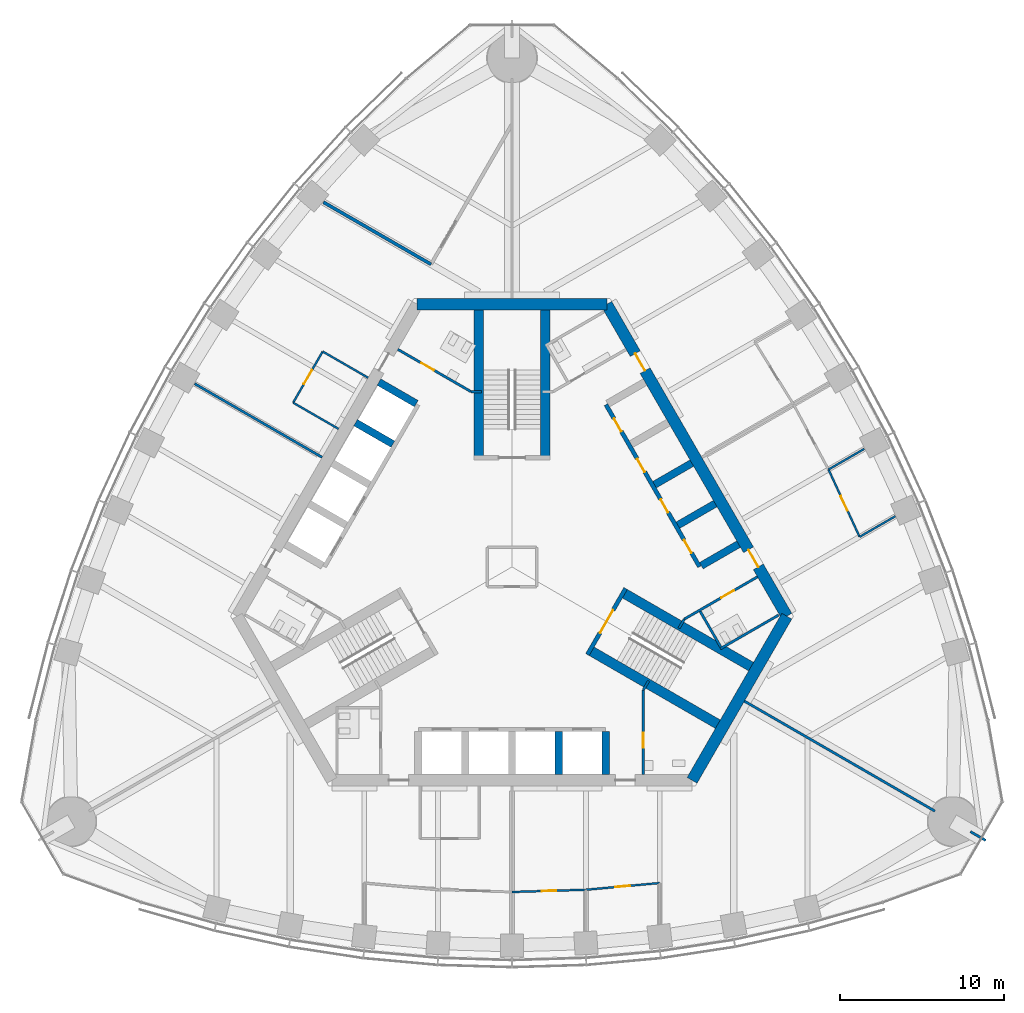
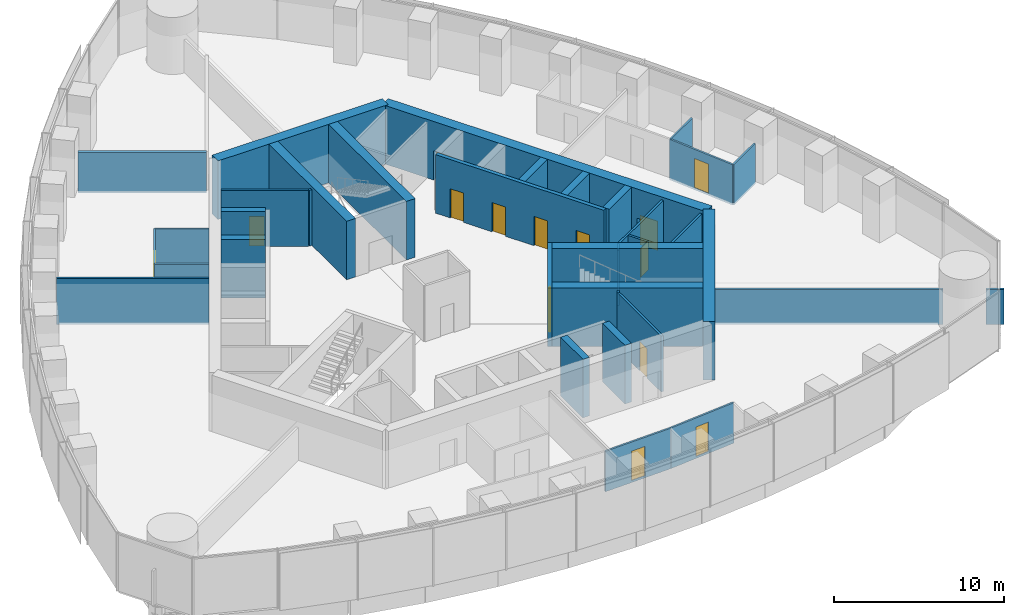
# One storey, part 9 of 15: 36 walls, 14 doors, 14 openings.
"""IFC4 building model written with IfcOpenShell, lengths in metres."""

from ifc_helpers import new_model, si_unit, direction, frame, frame_2d, origin, place, context, subcontext, project, spatial, rectangle, extrude, material, layer, layer_set, type_object, element, fill, save


model = new_model("IFC4")

# Units and contexts
model_context = context("Model", 3, precision=1e-05, world=origin(), true_north=direction((0.0, 1.0)))
body_context = subcontext(model_context, "Body", "Model", "MODEL_VIEW")
ifc_project = project(units=[si_unit("LENGTHUNIT", "METRE"), si_unit("AREAUNIT", "SQUARE_METRE"), si_unit("VOLUMEUNIT", "CUBIC_METRE"), si_unit("PLANEANGLEUNIT", "RADIAN"), si_unit("MASSUNIT", "GRAM", prefix="KILO")], contexts=[model_context])

# Site, building, storey
site_placement = place(None, origin())
site = spatial("IfcSite", under=ifc_project, at=site_placement, CompositionType="ELEMENT")
building_placement = place(site_placement, origin())
building = spatial("IfcBuilding", under=site, at=building_placement, Name="Trefoil Bronze Tower", CompositionType="ELEMENT")
storey_placement = place(building_placement, frame((0.0, 0.0, 288.89990234375)))
storey = spatial("IfcBuildingStorey", under=building, at=storey_placement, Name="L66", CompositionType="ELEMENT", Elevation=288.89990234375)

# Walls
ifc_material_1 = material(Name="Gypsum board on steel studs", Category="steel")
ifc_layer_1 = layer(ifc_material_1, 0.199951171875)
ifc_layer_set_1 = layer_set([ifc_layer_1], Name="Acoustic partition 200")
wall_type_1 = type_object("IfcWallType", Name="Acoustic partition 200", PredefinedType="PARTITIONING", material=ifc_layer_set_1)
wall_1_placement = place(storey_placement, frame((-4.9326171875, 18.436279296875, 0.0), z_axis=(0.0, 0.0, 1.0), x_axis=(-0.866021793822, 0.500006252586, 0.0)))
element("IfcWall", 1, at=wall_1_placement, inside=storey, type_object=wall_type_1, Name="Partition F3 L66", PredefinedType="PARTITIONING", context=body_context, shape_type="SweptSolid", body=[
    extrude(rectangle(XDim=7.57080078125, YDim=0.199951171875, at=frame_2d((3.785400390625, 0.0))), origin(), (0.0, 0.0, 1.0), 2.900146484375),
])
ifc_material_2 = material(Name="Concrete B80", Category="concrete")
ifc_layer_2 = layer(ifc_material_2, 0.699951171875)
ifc_layer_set_2 = layer_set([ifc_layer_2], Name="Core wall 700")
wall_type_2 = type_object("IfcWallType", Name="Core wall 700", PredefinedType="SHEAR", material=ifc_layer_set_2)
wall_2_placement = place(storey_placement, frame((10.9697265625, -13.0, 0.0), z_axis=(0.0, 0.0, 1.0), x_axis=(0.499995765644, 0.866027848477, 0.0)))
element("IfcWall", 2, at=wall_2_placement, inside=storey, type_object=wall_type_2, Name="Core short wall 1 L66", PredefinedType="SHEAR", context=body_context, shape_type="SweptSolid", body=[
    extrude(rectangle(XDim=11.546875, YDim=0.699951171875, at=frame_2d((5.7734375, 0.0))), origin(), (0.0, 0.0, 1.0), 4.2001953125),
])

# Wall, openings, doors
wall_3_placement = place(storey_placement, frame((16.7431640625, -3.0, 0.0), z_axis=(0.0, 0.0, 1.0), x_axis=(-0.500002442456, 0.866023993627, 0.0)))
wall_3 = element("IfcWall", 3, at=wall_3_placement, inside=storey, type_object=wall_type_2, Name="Core long wall 2 L66", PredefinedType="SHEAR", context=body_context, shape_type="SweptSolid", body=[
    extrude(rectangle(XDim=21.939453125, YDim=0.699951171875, at=frame_2d((10.9697265625, 0.0))), origin(), (0.0, 0.0, 1.0), 4.2001953125),
])
opening_1_placement = place(wall_3_placement, frame((17.269775390625, 0.0, 0.0)))
opening_1 = element("IfcOpeningElement", 4, at=opening_1_placement, cuts=wall_3, Name="Opening D2", PredefinedType="OPENING", context=body_context, shape_type="SweptSolid", body=[
    extrude(rectangle(XDim=1.199951171875, YDim=2.10009765625, at=frame_2d((0.60009765625, 1.050048828125))), frame((0.0, 0.35986328125, 0.0), z_axis=(0.0, -1.0, 0.0), x_axis=(1.0, 0.0, 0.0)), (0.0, 0.0, 1.0), 0.719970703125),
])
opening_2_placement = place(wall_3_placement, frame((3.4697265625, 0.0, 0.0)))
opening_2 = element("IfcOpeningElement", 5, at=opening_2_placement, cuts=wall_3, Name="Opening D2", PredefinedType="OPENING", context=body_context, shape_type="SweptSolid", body=[
    extrude(rectangle(XDim=1.199951171875, YDim=2.10009765625, at=frame_2d((0.60009765625, 1.050048828125))), frame((0.0, 0.35986328125, 0.0), z_axis=(0.0, -1.0, 0.0), x_axis=(1.0, 0.0, 0.0)), (0.0, 0.0, 1.0), 0.719970703125),
])
ifc_material_3 = material(Name="Steel door", Category="steel")
door_type_1 = type_object("IfcDoorType", Name="Lobby door 1200", OperationType="SINGLE_SWING_RIGHT", PredefinedType="DOOR", material=ifc_material_3)
door_1_placement = place(opening_1_placement, origin())
door_1 = element("IfcDoor", 6, at=door_1_placement, inside=storey, type_object=door_type_1, Name="Lobby door F2+ L66", OperationType="SINGLE_SWING_RIGHT", OverallHeight=2.10009765625, OverallWidth=1.199951171875, PredefinedType="DOOR", context=body_context, shape_type="SweptSolid", body=[
    extrude(rectangle(XDim=1.199951171875, YDim=2.10009765625, at=frame_2d((0.60009765625, 1.050048828125))), frame((0.0, 0.02490234375, 0.0), z_axis=(0.0, -1.0, 0.0), x_axis=(1.0, 0.0, 0.0)), (0.0, 0.0, 1.0), 0.050048828125),
])
fill(opening_1, door_1)
door_2_placement = place(opening_2_placement, origin())
door_2 = element("IfcDoor", 7, at=door_2_placement, inside=storey, type_object=door_type_1, Name="Lobby door F2- L66", OperationType="SINGLE_SWING_LEFT", OverallHeight=2.10009765625, OverallWidth=1.199951171875, PredefinedType="DOOR", context=body_context, shape_type="SweptSolid", body=[
    extrude(rectangle(XDim=1.199951171875, YDim=2.10009765625, at=frame_2d((0.60009765625, 1.050048828125))), frame((0.0, 0.02490234375, 0.0), z_axis=(0.0, -1.0, 0.0), x_axis=(1.0, 0.0, 0.0)), (0.0, 0.0, 1.0), 0.050048828125),
])
fill(opening_2, door_2)

# Wall
wall_4_placement = place(storey_placement, frame((5.7734375, 16.0, 0.0), z_axis=(0.0, 0.0, 1.0), x_axis=(-1.0, 0.0, 0.0)))
element("IfcWall", 8, at=wall_4_placement, inside=storey, type_object=wall_type_2, Name="Core short wall 2 L66", PredefinedType="SHEAR", context=body_context, shape_type="SweptSolid", body=[
    extrude(rectangle(XDim=11.546875, YDim=0.699951171875, at=frame_2d((5.7734375, 0.0))), origin(), (0.0, 0.0, 1.0), 4.2001953125),
])

# Wall, opening, door
ifc_material_4 = material(Name="Glazed partition", Category="glass")
ifc_layer_3 = layer(ifc_material_4, 0.1201171875)
ifc_layer_set_3 = layer_set([ifc_layer_3], Name="Glazed partition 120")
wall_type_3 = type_object("IfcWallType", Name="Glazed partition 120", PredefinedType="PARTITIONING", material=ifc_layer_set_3)
wall_5_placement = place(storey_placement, frame((0.0, -19.801513671875, 0.0), z_axis=(0.0, 0.0, 1.0), x_axis=(0.999542074227, 0.030259574513, 0.0)))
wall_5 = element("IfcWall", 9, at=wall_5_placement, inside=storey, type_object=wall_type_3, Name="Partition F1 L66", PredefinedType="PARTITIONING", context=body_context, shape_type="SweptSolid", body=[
    extrude(rectangle(XDim=4.501953125, YDim=0.1201171875, at=frame_2d((2.2509765625, 0.0))), origin(), (0.0, 0.0, 1.0), 2.900146484375),
])
opening_3_placement = place(wall_5_placement, frame((1.800048828125, 0.0, 0.14990234375)))
opening_3 = element("IfcOpeningElement", 10, at=opening_3_placement, cuts=wall_5, Name="Opening D8", PredefinedType="OPENING", context=body_context, shape_type="SweptSolid", body=[
    extrude(rectangle(XDim=0.89990234375, YDim=2.10009765625, at=frame_2d((0.449951171875, 1.050048828125))), frame((0.0, 0.070068359375, 0.0), z_axis=(0.0, -1.0, 0.0), x_axis=(1.0, 0.0, 0.0)), (0.0, 0.0, 1.0), 0.14013671875),
])
ifc_material_5 = material(Name="Timber door", Category="wood")
door_type_2 = type_object("IfcDoorType", Name="Office door 900", OperationType="SINGLE_SWING_LEFT", PredefinedType="DOOR", material=ifc_material_5)
door_3_placement = place(opening_3_placement, frame((0.89990234375, 0.0, 0.0), z_axis=(0.0, 0.0, 1.0), x_axis=(-1.0, 0.0, 0.0)))
door_3 = element("IfcDoor", 11, at=door_3_placement, inside=storey, type_object=door_type_2, Name="Office door F1 L66", OperationType="SINGLE_SWING_RIGHT", OverallHeight=2.10009765625, OverallWidth=0.89990234375, PredefinedType="DOOR", context=body_context, shape_type="SweptSolid", body=[
    extrude(rectangle(XDim=0.89990234375, YDim=2.10009765625, at=frame_2d((0.449951171875, 1.050048828125))), frame((0.0, 0.02490234375, 0.0), z_axis=(0.0, -1.0, 0.0), x_axis=(1.0, 0.0, 0.0)), (0.0, 0.0, 1.0), 0.050048828125),
])
fill(opening_3, door_3)

wall_6_placement = place(storey_placement, frame((4.5, -19.665283203125, 0.0), z_axis=(0.0, 0.0, 1.0), x_axis=(0.995871921504, 0.090769576179, 0.0)))
wall_6 = element("IfcWall", 12, at=wall_6_placement, inside=storey, type_object=wall_type_3, Name="Partition F1 L66", PredefinedType="PARTITIONING", context=body_context, shape_type="SweptSolid", body=[
    extrude(rectangle(XDim=4.5185546875, YDim=0.1201171875, at=frame_2d((2.25927734375, 0.0))), origin(), (0.0, 0.0, 1.0), 2.900146484375),
])
opening_4_placement = place(wall_6_placement, frame((1.800048828125, 0.0, 0.14990234375)))
opening_4 = element("IfcOpeningElement", 13, at=opening_4_placement, cuts=wall_6, Name="Opening D8", PredefinedType="OPENING", context=body_context, shape_type="SweptSolid", body=[
    extrude(rectangle(XDim=0.89990234375, YDim=2.10009765625, at=frame_2d((0.449951171875, 1.050048828125))), frame((0.0, 0.070068359375, 0.0), z_axis=(0.0, -1.0, 0.0), x_axis=(1.0, 0.0, 0.0)), (0.0, 0.0, 1.0), 0.14013671875),
])
door_4_placement = place(opening_4_placement, frame((0.89990234375, 0.0, 0.0), z_axis=(0.0, 0.0, 1.0), x_axis=(-1.0, 0.0, 0.0)))
door_4 = element("IfcDoor", 14, at=door_4_placement, inside=storey, type_object=door_type_2, Name="Office door F1 L66", OperationType="SINGLE_SWING_RIGHT", OverallHeight=2.10009765625, OverallWidth=0.89990234375, PredefinedType="DOOR", context=body_context, shape_type="SweptSolid", body=[
    extrude(rectangle(XDim=0.89990234375, YDim=2.10009765625, at=frame_2d((0.449951171875, 1.050048828125))), frame((0.0, 0.02490234375, 0.0), z_axis=(0.0, -1.0, 0.0), x_axis=(1.0, 0.0, 0.0)), (0.0, 0.0, 1.0), 0.050048828125),
])
fill(opening_4, door_4)

wall_7_placement = place(storey_placement, frame((21.17529296875, 1.833251953125, 0.0), z_axis=(0.0, 0.0, 1.0), x_axis=(-0.419270595022, 0.907861315483, 0.0)))
wall_7 = element("IfcWall", 15, at=wall_7_placement, inside=storey, type_object=wall_type_3, Name="Partition F2 L66", PredefinedType="PARTITIONING", context=body_context, shape_type="SweptSolid", body=[
    extrude(rectangle(XDim=4.5185546875, YDim=0.1201171875, at=frame_2d((2.25927734375, 0.0))), origin(), (0.0, 0.0, 1.0), 2.900146484375),
])
opening_5_placement = place(wall_7_placement, frame((1.75, 0.0, 0.14990234375)))
opening_5 = element("IfcOpeningElement", 16, at=opening_5_placement, cuts=wall_7, Name="Opening D9", PredefinedType="OPENING", context=body_context, shape_type="SweptSolid", body=[
    extrude(rectangle(XDim=1.0, YDim=2.10009765625, at=frame_2d((0.5, 1.050048828125))), frame((0.0, 0.070068359375, 0.0), z_axis=(0.0, -1.0, 0.0), x_axis=(1.0, 0.0, 0.0)), (0.0, 0.0, 1.0), 0.14013671875),
])
ifc_material_6 = material(Name="Glazed timber door", Category="wood")
door_type_3 = type_object("IfcDoorType", Name="Meeting room door 1000", OperationType="SINGLE_SWING_LEFT", PredefinedType="DOOR", material=ifc_material_6)
door_5_placement = place(opening_5_placement, frame((1.0, 0.0, 0.0), z_axis=(0.0, 0.0, 1.0), x_axis=(-1.0, 0.0, 0.0)))
door_5 = element("IfcDoor", 17, at=door_5_placement, inside=storey, type_object=door_type_3, Name="Meeting room door F2 L66", OperationType="SINGLE_SWING_RIGHT", OverallHeight=2.10009765625, OverallWidth=1.0, PredefinedType="DOOR", context=body_context, shape_type="SweptSolid", body=[
    extrude(rectangle(XDim=1.0, YDim=2.10009765625, at=frame_2d((0.5, 1.050048828125))), frame((0.0, 0.02490234375, 0.0), z_axis=(0.0, -1.0, 0.0), x_axis=(1.0, 0.0, 0.0)), (0.0, 0.0, 1.0), 0.050048828125),
])
fill(opening_5, door_5)

# Walls
wall_8_placement = place(storey_placement, frame((19.28076171875, 5.935546875, 0.0), z_axis=(0.0, 0.0, 1.0), x_axis=(0.866032146685, 0.499988320771, 0.0)))
element("IfcWall", 18, at=wall_8_placement, inside=storey, type_object=wall_type_3, Name="Partition F2 L66", PredefinedType="PARTITIONING", context=body_context, shape_type="SweptSolid", body=[
    extrude(rectangle(XDim=2.51708984375, YDim=0.1201171875, at=frame_2d((1.258544921875, 0.0))), origin(), (0.0, 0.0, 1.0), 2.900146484375),
])
wall_9_placement = place(storey_placement, frame((21.17529296875, 1.833251953125, 0.0), z_axis=(0.0, 0.0, 1.0), x_axis=(0.866042990507, 0.499969537666, 0.0)))
element("IfcWall", 19, at=wall_9_placement, inside=storey, type_object=wall_type_3, Name="Partition F2 L66", PredefinedType="PARTITIONING", context=body_context, shape_type="SweptSolid", body=[
    extrude(rectangle(XDim=2.509033203125, YDim=0.1201171875, at=frame_2d((1.25439453125, 0.0))), origin(), (0.0, 0.0, 1.0), 2.900146484375),
])

# Wall, opening, door
wall_10_placement = place(storey_placement, frame((-11.53271484375, 13.124755859375, 0.0), z_axis=(0.0, 0.0, 1.0), x_axis=(-0.500012057535, -0.866018442252, 0.0)))
wall_10 = element("IfcWall", 20, at=wall_10_placement, inside=storey, type_object=wall_type_3, Name="Partition F3 L66", PredefinedType="PARTITIONING", context=body_context, shape_type="SweptSolid", body=[
    extrude(rectangle(XDim=3.60009765625, YDim=0.1201171875, at=frame_2d((1.800048828125, 0.0))), origin(), (0.0, 0.0, 1.0), 2.900146484375),
])
opening_6_placement = place(wall_10_placement, frame((1.300048828125, 0.0, 0.14990234375)))
opening_6 = element("IfcOpeningElement", 21, at=opening_6_placement, cuts=wall_10, Name="Opening D9", PredefinedType="OPENING", context=body_context, shape_type="SweptSolid", body=[
    extrude(rectangle(XDim=1.0, YDim=2.10009765625, at=frame_2d((0.5, 1.050048828125))), frame((0.0, 0.070068359375, 0.0), z_axis=(0.0, -1.0, 0.0), x_axis=(1.0, 0.0, 0.0)), (0.0, 0.0, 1.0), 0.14013671875),
])
door_6_placement = place(opening_6_placement, origin())
door_6 = element("IfcDoor", 22, at=door_6_placement, inside=storey, type_object=door_type_3, Name="Meeting room door F3 L66", OperationType="SINGLE_SWING_RIGHT", OverallHeight=2.10009765625, OverallWidth=1.0, PredefinedType="DOOR", context=body_context, shape_type="SweptSolid", body=[
    extrude(rectangle(XDim=1.0, YDim=2.10009765625, at=frame_2d((0.5, 1.050048828125))), frame((0.0, 0.02490234375, 0.0), z_axis=(0.0, -1.0, 0.0), x_axis=(1.0, 0.0, 0.0)), (0.0, 0.0, 1.0), 0.050048828125),
])
fill(opening_6, door_6)

# Walls
for number, where, z_axis, x_axis, name in (
    (23, (-10.5615234375, 8.406982421875, 0.0), (0.0, 0.0, 1.0), (-0.866008981251, 0.500028443584, 0.0), "Partition F3 L66"),
    (24, (-8.761474609375, 11.524658203125, 0.0), (0.0, 0.0, 1.0), (-0.866008981251, 0.500028443584, 0.0), "Partition F3 L66"),
):
    element("IfcWall", number, at=place(storey_placement, frame(where, z_axis=z_axis, x_axis=x_axis)), inside=storey, type_object=wall_type_3, Name=name, PredefinedType="PARTITIONING", context=body_context, shape_type="SweptSolid", body=[
        extrude(rectangle(XDim=3.199951171875, YDim=0.1201171875, at=frame_2d((1.60009765625, 0.0))), origin(), (0.0, 0.0, 1.0), 2.900146484375),
    ])
ifc_material_7 = material(Name="Concrete B80", Category="concrete")
ifc_layer_4 = layer(ifc_material_7, 0.449951171875)
ifc_layer_set_4 = layer_set([ifc_layer_4], Name="Outrigger shaft wall 450")
wall_type_4 = type_object("IfcWallType", Name="Outrigger shaft wall 450", PredefinedType="SHEAR", material=ifc_layer_set_4)
for number, where, z_axis, x_axis, name in (
    (25, (2.85009765625, -10.02490234375, 0.0), (0.0, 0.0, 1.0), (0.0, -1.0, 0.0), "Lift shaft side wall A3 L66"),
    (26, (5.699951171875, -10.02490234375, 0.0), (0.0, 0.0, 1.0), (0.0, -1.0, 0.0), "Lift shaft side wall A4 L66"),
    (27, (11.531982421875, 0.076171875, 0.0), (0.0, 0.0, 1.0), (0.866013657776, 0.500020344131, 0.0), "Lift shaft side wall B0 L66"),
    (28, (10.10693359375, 2.54443359375, 0.0), (0.0, 0.0, 1.0), (0.866013657776, 0.500020344131, 0.0), "Lift shaft side wall B1 L66"),
    (29, (8.681884765625, 5.012451171875, 0.0), (0.0, 0.0, 1.0), (0.866036909293, 0.499980071345, 0.0), "Lift shaft side wall B2 L66"),
    (30, (-5.831787109375, 9.94873046875, 0.0), (0.0, 0.0, 1.0), (-0.866036909293, 0.499980071345, 0.0), "Lift shaft side wall C0 L66"),
    (31, (-7.2568359375, 7.480712890625, 0.0), (0.0, 0.0, 1.0), (-0.866036909293, 0.499980071345, 0.0), "Lift shaft side wall C1 L66"),
):
    element("IfcWall", number, at=place(storey_placement, frame(where, z_axis=z_axis, x_axis=x_axis)), inside=storey, type_object=wall_type_4, Name=name, PredefinedType="SHEAR", context=body_context, shape_type="SweptSolid", body=[
        extrude(rectangle(XDim=2.625, YDim=0.449951171875, at=frame_2d((1.3125, 0.0))), origin(), (0.0, 0.0, 1.0), 4.2001953125),
    ])

# Wall, opening, door
ifc_material_8 = material(Name="Gypsum board on steel studs", Category="steel")
ifc_layer_5 = layer(ifc_material_8, 0.14990234375)
ifc_layer_set_5 = layer_set([ifc_layer_5], Name="Partition 150")
wall_type_5 = type_object("IfcWallType", Name="Partition 150", PredefinedType="PARTITIONING", material=ifc_layer_set_5)
wall_11_placement = place(storey_placement, frame((8.0, -7.5, 0.0), z_axis=(0.0, 0.0, 1.0), x_axis=(0.0, -1.0, 0.0)))
wall_11 = element("IfcWall", 32, at=wall_11_placement, inside=storey, type_object=wall_type_5, Name="Passage wall F1+ L66", PredefinedType="PARTITIONING", context=body_context, shape_type="SweptSolid", body=[
    extrude(rectangle(XDim=5.14990234375, YDim=0.14990234375, at=frame_2d((2.574951171875, 0.0))), origin(), (0.0, 0.0, 1.0), 4.0),
])
opening_7_placement = place(wall_11_placement, frame((2.60009765625, 0.0, 0.0)))
opening_7 = element("IfcOpeningElement", 33, at=opening_7_placement, cuts=wall_11, Name="Opening D3", PredefinedType="OPENING", context=body_context, shape_type="SweptSolid", body=[
    extrude(rectangle(XDim=0.89990234375, YDim=2.10009765625, at=frame_2d((0.449951171875, 1.050048828125))), frame((0.0, 0.0849609375, 0.0), z_axis=(0.0, -1.0, 0.0), x_axis=(1.0, 0.0, 0.0)), (0.0, 0.0, 1.0), 0.169921875),
])
ifc_material_9 = material(Name="Timber door", Category="wood")
door_type_4 = type_object("IfcDoorType", Name="WC door 900", OperationType="SINGLE_SWING_LEFT", PredefinedType="DOOR", material=ifc_material_9)
door_7_placement = place(opening_7_placement, origin())
door_7 = element("IfcDoor", 34, at=door_7_placement, inside=storey, type_object=door_type_4, Name="Accessible WC door L66", OperationType="SINGLE_SWING_RIGHT", OverallHeight=2.10009765625, OverallWidth=0.89990234375, PredefinedType="DOOR", context=body_context, shape_type="SweptSolid", body=[
    extrude(rectangle(XDim=0.89990234375, YDim=2.10009765625, at=frame_2d((0.449951171875, 1.050048828125))), frame((0.0, 0.02490234375, 0.0), z_axis=(0.0, -1.0, 0.0), x_axis=(1.0, 0.0, 0.0)), (0.0, 0.0, 1.0), 0.050048828125),
])
fill(opening_7, door_7)

wall_12_placement = place(storey_placement, frame((10.4951171875, -3.17822265625, 0.0), z_axis=(0.0, 0.0, 1.0), x_axis=(0.866037967349, 0.499978238636, 0.0)))
wall_12 = element("IfcWall", 35, at=wall_12_placement, inside=storey, type_object=wall_type_5, Name="Passage wall F2- L66", PredefinedType="PARTITIONING", context=body_context, shape_type="SweptSolid", body=[
    extrude(rectangle(XDim=5.150146484375, YDim=0.14990234375, at=frame_2d((2.5751953125, 0.0))), origin(), (0.0, 0.0, 1.0), 4.0),
])
opening_8_placement = place(wall_12_placement, frame((2.60009765625, 0.0, 0.0)))
opening_8 = element("IfcOpeningElement", 36, at=opening_8_placement, cuts=wall_12, Name="Opening D3", PredefinedType="OPENING", context=body_context, shape_type="SweptSolid", body=[
    extrude(rectangle(XDim=0.89990234375, YDim=2.10009765625, at=frame_2d((0.449951171875, 1.050048828125))), frame((0.0, 0.0849609375, 0.0), z_axis=(0.0, -1.0, 0.0), x_axis=(1.0, 0.0, 0.0)), (0.0, 0.0, 1.0), 0.169921875),
])
door_8_placement = place(opening_8_placement, frame((0.89990234375, 0.0, 0.0), z_axis=(0.0, 0.0, 1.0), x_axis=(-1.0, 0.0, 0.0)))
door_8 = element("IfcDoor", 37, at=door_8_placement, inside=storey, type_object=door_type_4, Name="WC (women) door L66", OperationType="SINGLE_SWING_RIGHT", OverallHeight=2.10009765625, OverallWidth=0.89990234375, PredefinedType="DOOR", context=body_context, shape_type="SweptSolid", body=[
    extrude(rectangle(XDim=0.89990234375, YDim=2.10009765625, at=frame_2d((0.449951171875, 1.050048828125))), frame((0.0, 0.02490234375, 0.0), z_axis=(0.0, -1.0, 0.0), x_axis=(1.0, 0.0, 0.0)), (0.0, 0.0, 1.0), 0.050048828125),
])
fill(opening_8, door_8)

wall_13_placement = place(storey_placement, frame((-2.4951171875, 10.67822265625, 0.0), z_axis=(0.0, 0.0, 1.0), x_axis=(-0.866037967349, 0.499978238636, 0.0)))
wall_13 = element("IfcWall", 38, at=wall_13_placement, inside=storey, type_object=wall_type_5, Name="Passage wall F3- L66", PredefinedType="PARTITIONING", context=body_context, shape_type="SweptSolid", body=[
    extrude(rectangle(XDim=5.150146484375, YDim=0.14990234375, at=frame_2d((2.5751953125, 0.0))), origin(), (0.0, 0.0, 1.0), 4.0),
])
opening_9_placement = place(wall_13_placement, frame((2.60009765625, 0.0, 0.0)))
opening_9 = element("IfcOpeningElement", 39, at=opening_9_placement, cuts=wall_13, Name="Opening D3", PredefinedType="OPENING", context=body_context, shape_type="SweptSolid", body=[
    extrude(rectangle(XDim=0.89990234375, YDim=2.10009765625, at=frame_2d((0.449951171875, 1.050048828125))), frame((0.0, 0.0849609375, 0.0), z_axis=(0.0, -1.0, 0.0), x_axis=(1.0, 0.0, 0.0)), (0.0, 0.0, 1.0), 0.169921875),
])
door_9_placement = place(opening_9_placement, frame((0.89990234375, 0.0, 0.0), z_axis=(0.0, 0.0, 1.0), x_axis=(-1.0, 0.0, 0.0)))
door_9 = element("IfcDoor", 40, at=door_9_placement, inside=storey, type_object=door_type_4, Name="WC (women) door L66", OperationType="SINGLE_SWING_LEFT", OverallHeight=2.10009765625, OverallWidth=0.89990234375, PredefinedType="DOOR", context=body_context, shape_type="SweptSolid", body=[
    extrude(rectangle(XDim=0.89990234375, YDim=2.10009765625, at=frame_2d((0.449951171875, 1.050048828125))), frame((0.0, 0.02490234375, 0.0), z_axis=(0.0, -1.0, 0.0), x_axis=(1.0, 0.0, 0.0)), (0.0, 0.0, 1.0), 0.050048828125),
])
fill(opening_9, door_9)

# Walls
for number, where, z_axis, x_axis, name in (
    (41, (8.0, -7.5, 0.0), (0.0, 0.0, 1.0), (0.499842556608, 0.866116284689, 0.0), "WC wall ST1-1 L66"),
    (42, (10.4951171875, -3.17822265625, 0.0), (0.0, 0.0, 1.0), (-0.499842556608, -0.866116284689, 0.0), "WC wall ST1+1 L66"),
):
    element("IfcWall", number, at=place(storey_placement, frame(where, z_axis=z_axis, x_axis=x_axis)), inside=storey, type_object=wall_type_5, Name=name, PredefinedType="PARTITIONING", context=body_context, shape_type="SweptSolid", body=[
        extrude(rectangle(XDim=0.645263671875, YDim=0.14990234375, at=frame_2d((0.32275390625, 0.0))), origin(), (0.0, 0.0, 1.0), 4.0),
    ])
wall_14_placement = place(storey_placement, frame((-2.4951171875, 10.67822265625, 0.0), z_axis=(0.0, 0.0, 1.0), x_axis=(1.0, 0.0, 0.0)))
element("IfcWall", 43, at=wall_14_placement, inside=storey, type_object=wall_type_5, Name="WC wall ST2+1 L66", PredefinedType="PARTITIONING", context=body_context, shape_type="SweptSolid", body=[
    extrude(rectangle(XDim=0.64501953125, YDim=0.14990234375, at=frame_2d((0.322509765625, 0.0))), origin(), (0.0, 0.0, 1.0), 4.0),
])
wall_15_placement = place(storey_placement, frame((12.691162109375, -4.98193359375, 0.0), z_axis=(0.0, 0.0, 1.0), x_axis=(0.8660249478, 0.500000789788, 0.0)))
element("IfcWall", 44, at=wall_15_placement, inside=storey, type_object=wall_type_5, Name="WC partition WC (women) L66", PredefinedType="PARTITIONING", context=body_context, shape_type="SweptSolid", body=[
    extrude(rectangle(XDim=4.10009765625, YDim=0.14990234375, at=frame_2d((2.050048828125, 0.0))), origin(), (0.0, 0.0, 1.0), 4.0),
])
wall_16_placement = place(storey_placement, frame((11.463623046875, -2.70556640625, 0.0), z_axis=(0.0, 0.0, 1.0), x_axis=(0.50001992892, -0.866013897511, 0.0)))
element("IfcWall", 45, at=wall_16_placement, inside=storey, type_object=wall_type_5, Name="WC partition WC (women) L66", PredefinedType="PARTITIONING", context=body_context, shape_type="SweptSolid", body=[
    extrude(rectangle(XDim=2.51025390625, YDim=0.14990234375, at=frame_2d((1.255126953125, 0.0))), origin(), (0.0, 0.0, 1.0), 4.0),
])
ifc_material_10 = material(Name="Gypsum board on steel studs", Category="steel")
ifc_layer_6 = layer(ifc_material_10, 0.14990234375)
ifc_layer_set_6 = layer_set([ifc_layer_6], Name="Party wall 150")
wall_type_6 = type_object("IfcWallType", Name="Party wall 150", PredefinedType="PARTITIONING", material=ifc_layer_set_6)
wall_17_placement = place(storey_placement, frame((14.159423828125, -8.175048828125, 0.0), z_axis=(0.0, 0.0, 1.0), x_axis=(0.866026905467, -0.499997399001, 0.0)))
element("IfcWall", 46, at=wall_17_placement, inside=storey, type_object=wall_type_6, Name="Party wall K1 L66", PredefinedType="PARTITIONING", context=body_context, shape_type="SweptSolid", body=[
    extrude(rectangle(XDim=13.39990234375, YDim=0.14990234375, at=frame_2d((6.699951171875, 0.0))), origin(), (0.0, 0.0, 1.0), 2.5),
])
wall_18_placement = place(storey_placement, frame((27.92919921875, -16.125, 0.0), z_axis=(0.0, 0.0, 1.0), x_axis=(0.866086810508, -0.499893625349, 0.0)))
element("IfcWall", 47, at=wall_18_placement, inside=storey, type_object=wall_type_6, Name="Party wall K1 L66", PredefinedType="PARTITIONING", context=body_context, shape_type="SweptSolid", body=[
    extrude(rectangle(XDim=1.070068359375, YDim=0.14990234375, at=frame_2d((0.53515625, 0.0))), origin(), (0.0, 0.0, 1.0), 2.5),
])
wall_19_placement = place(storey_placement, frame((-11.570068359375, 6.679931640625, 0.0), z_axis=(0.0, 0.0, 1.0), x_axis=(-0.866018180823, 0.500012510328, 0.0)))
element("IfcWall", 48, at=wall_19_placement, inside=storey, type_object=wall_type_6, Name="Demising wall F3 L66", PredefinedType="PARTITIONING", context=body_context, shape_type="SweptSolid", body=[
    extrude(rectangle(XDim=8.961669921875, YDim=0.14990234375, at=frame_2d((4.48095703125, 0.0))), origin(), (0.0, 0.0, 1.0), 3.300048828125),
])

# Wall, openings, doors
ifc_material_11 = material(Name="Concrete B80", Category="concrete")
ifc_layer_7 = layer(ifc_material_11, 0.25)
ifc_layer_set_7 = layer_set([ifc_layer_7], Name="Shaft wall 250")
wall_type_7 = type_object("IfcWallType", Name="Shaft wall 250", PredefinedType="SHEAR", material=ifc_layer_set_7)
wall_20_placement = place(storey_placement, frame((11.423583984375, 0.013671875, 0.0), z_axis=(0.0, 0.0, 1.0), x_axis=(-0.500001763848, 0.866024385424, 0.0)))
wall_20 = element("IfcWall", 49, at=wall_20_placement, inside=storey, type_object=wall_type_7, Name="Lift shaft front wall B L66", PredefinedType="SHEAR", context=body_context, shape_type="SweptSolid", body=[
    extrude(rectangle(XDim=11.39990234375, YDim=0.25, at=frame_2d((5.699951171875, 0.0))), origin(), (0.0, 0.0, 1.0), 4.2001953125),
])
opening_10_placement = place(wall_20_placement, frame((0.97509765625, 0.0, 0.0)))
opening_10 = element("IfcOpeningElement", 50, at=opening_10_placement, cuts=wall_20, Name="Opening D12", PredefinedType="OPENING", context=body_context, shape_type="SweptSolid", body=[
    extrude(rectangle(XDim=0.89990234375, YDim=2.10009765625, at=frame_2d((0.449951171875, 1.050048828125))), frame((0.0, 0.135009765625, 0.0), z_axis=(0.0, -1.0, 0.0), x_axis=(1.0, 0.0, 0.0)), (0.0, 0.0, 1.0), 0.27001953125),
])
opening_11_placement = place(wall_20_placement, frame((3.824951171875, 0.0, 0.0)))
opening_11 = element("IfcOpeningElement", 51, at=opening_11_placement, cuts=wall_20, Name="Opening D12", PredefinedType="OPENING", context=body_context, shape_type="SweptSolid", body=[
    extrude(rectangle(XDim=0.89990234375, YDim=2.10009765625, at=frame_2d((0.449951171875, 1.050048828125))), frame((0.0, 0.135009765625, 0.0), z_axis=(0.0, -1.0, 0.0), x_axis=(1.0, 0.0, 0.0)), (0.0, 0.0, 1.0), 0.27001953125),
])
opening_12_placement = place(wall_20_placement, frame((6.675048828125, 0.0, 0.0)))
opening_12 = element("IfcOpeningElement", 52, at=opening_12_placement, cuts=wall_20, Name="Opening D12", PredefinedType="OPENING", context=body_context, shape_type="SweptSolid", body=[
    extrude(rectangle(XDim=0.89990234375, YDim=2.10009765625, at=frame_2d((0.449951171875, 1.050048828125))), frame((0.0, 0.135009765625, 0.0), z_axis=(0.0, -1.0, 0.0), x_axis=(1.0, 0.0, 0.0)), (0.0, 0.0, 1.0), 0.27001953125),
])
opening_13_placement = place(wall_20_placement, frame((9.52490234375, 0.0, 0.0)))
opening_13 = element("IfcOpeningElement", 53, at=opening_13_placement, cuts=wall_20, Name="Opening D12", PredefinedType="OPENING", context=body_context, shape_type="SweptSolid", body=[
    extrude(rectangle(XDim=0.89990234375, YDim=2.10009765625, at=frame_2d((0.449951171875, 1.050048828125))), frame((0.0, 0.135009765625, 0.0), z_axis=(0.0, -1.0, 0.0), x_axis=(1.0, 0.0, 0.0)), (0.0, 0.0, 1.0), 0.27001953125),
])
ifc_material_12 = material(Name="Steel door", Category="steel")
door_type_5 = type_object("IfcDoorType", Name="Shaft room door 900", OperationType="SINGLE_SWING_LEFT", PredefinedType="DOOR", material=ifc_material_12)
door_10_placement = place(opening_10_placement, frame((0.89990234375, 0.0, 0.0), z_axis=(0.0, 0.0, 1.0), x_axis=(-1.0, 0.0, 0.0)))
door_10 = element("IfcDoor", 54, at=door_10_placement, inside=storey, type_object=door_type_5, Name="Shaft room door B1 L66", OperationType="SINGLE_SWING_LEFT", OverallHeight=2.10009765625, OverallWidth=0.89990234375, PredefinedType="DOOR", context=body_context, shape_type="SweptSolid", body=[
    extrude(rectangle(XDim=0.89990234375, YDim=2.10009765625, at=frame_2d((0.449951171875, 1.050048828125))), frame((0.0, 0.02490234375, 0.0), z_axis=(0.0, -1.0, 0.0), x_axis=(1.0, 0.0, 0.0)), (0.0, 0.0, 1.0), 0.050048828125),
])
fill(opening_10, door_10)
door_11_placement = place(opening_11_placement, frame((0.89990234375, 0.0, 0.0), z_axis=(0.0, 0.0, 1.0), x_axis=(-1.0, 0.0, 0.0)))
door_11 = element("IfcDoor", 55, at=door_11_placement, inside=storey, type_object=door_type_5, Name="Shaft room door B2 L66", OperationType="SINGLE_SWING_RIGHT", OverallHeight=2.10009765625, OverallWidth=0.89990234375, PredefinedType="DOOR", context=body_context, shape_type="SweptSolid", body=[
    extrude(rectangle(XDim=0.89990234375, YDim=2.10009765625, at=frame_2d((0.449951171875, 1.050048828125))), frame((0.0, 0.02490234375, 0.0), z_axis=(0.0, -1.0, 0.0), x_axis=(1.0, 0.0, 0.0)), (0.0, 0.0, 1.0), 0.050048828125),
])
fill(opening_11, door_11)
door_12_placement = place(opening_12_placement, frame((0.89990234375, 0.0, 0.0), z_axis=(0.0, 0.0, 1.0), x_axis=(-1.0, 0.0, 0.0)))
door_12 = element("IfcDoor", 56, at=door_12_placement, inside=storey, type_object=door_type_5, Name="Shaft room door B3 L66", OperationType="SINGLE_SWING_RIGHT", OverallHeight=2.10009765625, OverallWidth=0.89990234375, PredefinedType="DOOR", context=body_context, shape_type="SweptSolid", body=[
    extrude(rectangle(XDim=0.89990234375, YDim=2.10009765625, at=frame_2d((0.449951171875, 1.050048828125))), frame((0.0, 0.02490234375, 0.0), z_axis=(0.0, -1.0, 0.0), x_axis=(1.0, 0.0, 0.0)), (0.0, 0.0, 1.0), 0.050048828125),
])
fill(opening_12, door_12)
door_13_placement = place(opening_13_placement, frame((0.89990234375, 0.0, 0.0), z_axis=(0.0, 0.0, 1.0), x_axis=(-1.0, 0.0, 0.0)))
door_13 = element("IfcDoor", 57, at=door_13_placement, inside=storey, type_object=door_type_5, Name="Shaft room door B4 L66", OperationType="SINGLE_SWING_RIGHT", OverallHeight=2.10009765625, OverallWidth=0.89990234375, PredefinedType="DOOR", context=body_context, shape_type="SweptSolid", body=[
    extrude(rectangle(XDim=0.89990234375, YDim=2.10009765625, at=frame_2d((0.449951171875, 1.050048828125))), frame((0.0, 0.02490234375, 0.0), z_axis=(0.0, -1.0, 0.0), x_axis=(1.0, 0.0, 0.0)), (0.0, 0.0, 1.0), 0.050048828125),
])
fill(opening_13, door_13)

# Wall, opening, door
wall_21_placement = place(storey_placement, frame((4.5966796875, -5.338623046875, 0.0), z_axis=(0.0, 0.0, 1.0), x_axis=(0.499984536904, 0.866034331223, 0.0)))
wall_21 = element("IfcWall", 58, at=wall_21_placement, inside=storey, type_object=wall_type_7, Name="Stair end wall ST1 L66", PredefinedType="SHEAR", context=body_context, shape_type="SweptSolid", body=[
    extrude(rectangle(XDim=4.650146484375, YDim=0.25, at=frame_2d((2.3251953125, 0.0))), origin(), (0.0, 0.0, 1.0), 4.2001953125),
])
opening_14_placement = place(wall_21_placement, frame((1.52490234375, 0.0, 0.0)))
opening_14 = element("IfcOpeningElement", 59, at=opening_14_placement, cuts=wall_21, Name="Opening D1", PredefinedType="OPENING", context=body_context, shape_type="SweptSolid", body=[
    extrude(rectangle(XDim=1.60009765625, YDim=2.10009765625, at=frame_2d((0.800048828125, 1.050048828125))), frame((0.0, 0.135009765625, 0.0), z_axis=(0.0, -1.0, 0.0), x_axis=(1.0, 0.0, 0.0)), (0.0, 0.0, 1.0), 0.27001953125),
])
ifc_material_13 = material(Name="Steel door", Category="steel")
door_type_6 = type_object("IfcDoorType", Name="Stair door 1600", OperationType="DOUBLE_DOOR_SINGLE_SWING", PredefinedType="DOOR", material=ifc_material_13)
door_14_placement = place(opening_14_placement, frame((1.60009765625, 0.0, 0.0), z_axis=(0.0, 0.0, 1.0), x_axis=(-1.0, 0.0, 0.0)))
door_14 = element("IfcDoor", 60, at=door_14_placement, inside=storey, type_object=door_type_6, Name="Stair door ST1 L66", OperationType="DOUBLE_DOOR_SINGLE_SWING", OverallHeight=2.10009765625, OverallWidth=1.60009765625, PredefinedType="DOOR", context=body_context, shape_type="SweptSolid", body=[
    extrude(rectangle(XDim=1.60009765625, YDim=2.10009765625, at=frame_2d((0.800048828125, 1.050048828125))), frame((0.0, 0.02490234375, 0.0), z_axis=(0.0, -1.0, 0.0), x_axis=(1.0, 0.0, 0.0)), (0.0, 0.0, 1.0), 0.050048828125),
])
fill(opening_14, door_14)

# Walls
ifc_material_14 = material(Name="Concrete B80", Category="concrete")
ifc_layer_8 = layer(ifc_material_14, 0.60009765625)
ifc_layer_set_8 = layer_set([ifc_layer_8], Name="Stair wall 600")
wall_type_8 = type_object("IfcWallType", Name="Stair wall 600", PredefinedType="SHEAR", material=ifc_layer_set_8)
for number, where, z_axis, x_axis, name in (
    (61, (4.638427734375, -5.01611328125, 0.0), (0.0, 0.0, 1.0), (0.866021621257, -0.500006551472, 0.0), "Stair wall ST1 L66"),
    (62, (6.663330078125, -1.5087890625, 0.0), (0.0, 0.0, 1.0), (0.866028310072, -0.499994966129, 0.0), "Stair wall ST1 L66"),
    (63, (2.02490234375, 6.52490234375, 0.0), (0.0, 0.0, 1.0), (0.0, 1.0, 0.0), "Stair wall ST2 L66"),
    (64, (-2.02490234375, 6.52490234375, 0.0), (0.0, 0.0, 1.0), (0.0, 1.0, 0.0), "Stair wall ST2 L66"),
):
    element("IfcWall", number, at=place(storey_placement, frame(where, z_axis=z_axis, x_axis=x_axis)), inside=storey, type_object=wall_type_8, Name=name, PredefinedType="SHEAR", context=body_context, shape_type="SweptSolid", body=[
        extrude(rectangle(XDim=9.125, YDim=0.60009765625, at=frame_2d((4.5625, 0.0))), origin(), (0.0, 0.0, 1.0), 4.2001953125),
    ])

save(model, "model.ifc")
